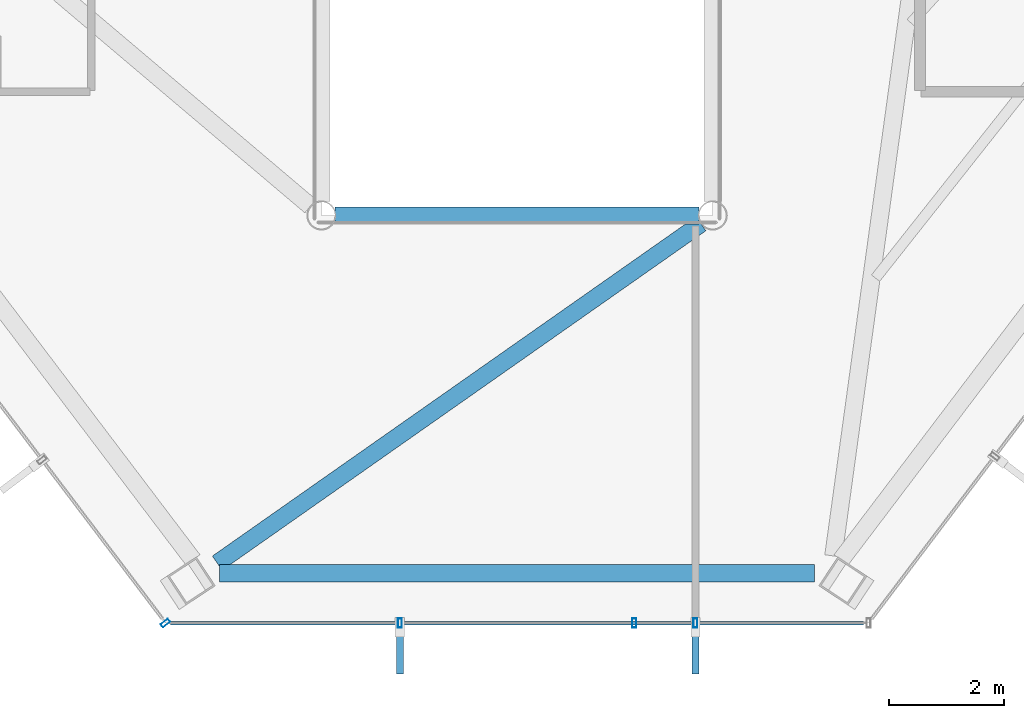
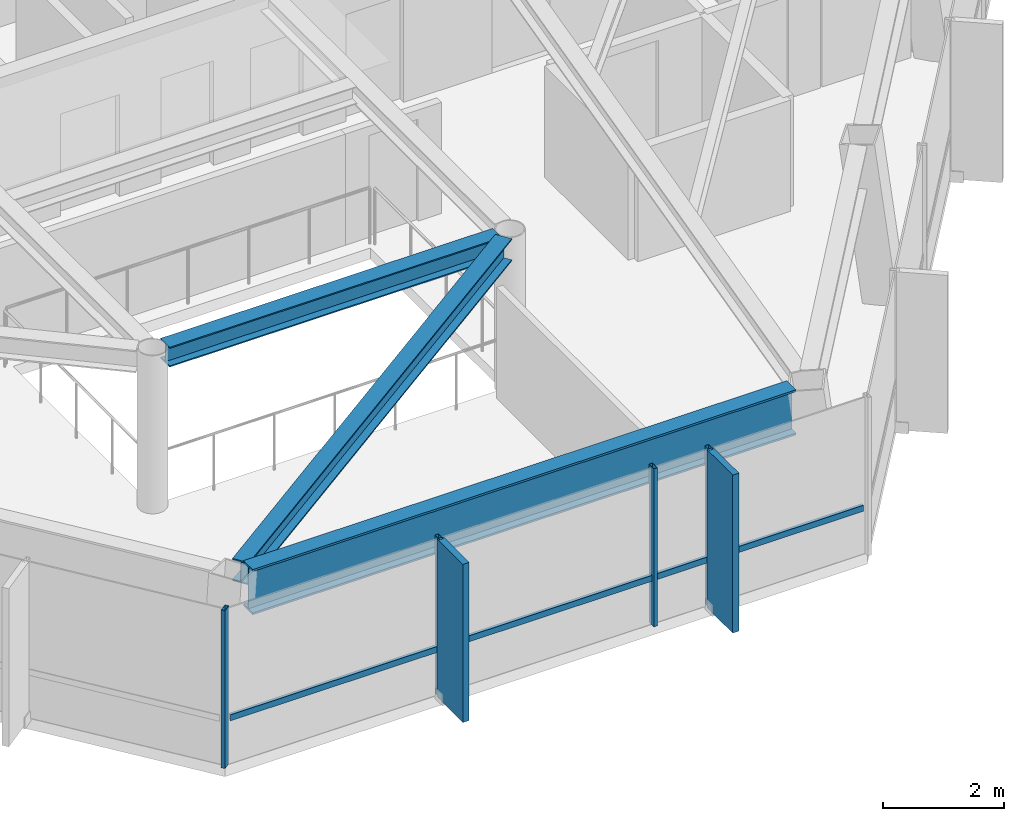
# One storey, part 7 of 27: 7 members, 3 beams, 2 elements without a shape of their own.
"""IFC4 building model written with IfcOpenShell, lengths in metres."""

from ifc_helpers import new_model, si_unit, direction, frame, origin, origin_2d, place, context, subcontext, project, spatial, rectangle, hollow_rectangle, i_section, extrude, material, layer, layer_set, material_profile, profile_set, type_object, element, aggregate, save


model = new_model("IFC4")

# Units and contexts
model_context = context("Model", 3, precision=1e-05, world=origin(), true_north=direction((0.0, 1.0)))
body_context = subcontext(model_context, "Body", "Model", "MODEL_VIEW")
ifc_project = project(units=[si_unit("LENGTHUNIT", "METRE"), si_unit("AREAUNIT", "SQUARE_METRE"), si_unit("VOLUMEUNIT", "CUBIC_METRE"), si_unit("PLANEANGLEUNIT", "RADIAN"), si_unit("MASSUNIT", "GRAM", prefix="KILO")], contexts=[model_context])

# Site, building, storey
site_placement = place(None, origin())
site = spatial("IfcSite", under=ifc_project, at=site_placement, CompositionType="ELEMENT")
building_placement = place(site_placement, origin())
building = spatial("IfcBuilding", under=site, at=building_placement, Name="Zarrinselat Tower", CompositionType="ELEMENT")
storey_placement = place(building_placement, frame((0.0, 0.0, 225.760009765625)))
storey = spatial("IfcBuildingStorey", under=building, at=storey_placement, Name="L56", CompositionType="ELEMENT", Elevation=225.760009765625)

# Beams
ifc_material_1 = material(Name="Steel S355J2", Category="steel")
ifc_material_profile_1 = material_profile(ifc_material_1, i_section(OverallWidth=0.300048828125, OverallDepth=0.39990234375, WebThickness=0.013427734375, FlangeThickness=0.02392578125, at=origin_2d()), Name="HEB 400")
ifc_profile_set_1 = profile_set([ifc_material_profile_1], Name="Steel S355J2")
beam_type_1 = type_object("IfcBeamType", Name="BM-HEB400", PredefinedType="BEAM", material=ifc_profile_set_1)
beam_1_placement = place(storey_placement, frame((35.239990234375, 25.199951171875, 2.97998046875), z_axis=(1.0, 0.0, 0.0), x_axis=(0.0, 1.0, 0.0)))
element("IfcBeam", 1, at=beam_1_placement, inside=storey, type_object=beam_type_1, Name="L56 Atrium Edge Beam S", PredefinedType="BEAM", context=body_context, shape_type="SweptSolid", body=[
    extrude(i_section(OverallWidth=0.300048828125, OverallDepth=0.39990234375, WebThickness=0.013427734375, FlangeThickness=0.02392578125, at=origin_2d()), origin(), (0.0, 0.0, 1.0), 6.320068359375),
])
ifc_material_2 = material(Name="Steel S355J2", Category="steel")
ifc_material_profile_2 = material_profile(ifc_material_2, i_section(OverallWidth=0.300048828125, OverallDepth=0.449951171875, WebThickness=0.013916015625, FlangeThickness=0.02587890625, at=origin_2d()), Name="HEB 450")
ifc_profile_set_2 = profile_set([ifc_material_profile_2], Name="Steel S355J2")
beam_type_2 = type_object("IfcBeamType", Name="BM-HEB450", PredefinedType="BEAM", material=ifc_profile_set_2)
beam_2_placement = place(storey_placement, frame((33.190185546875, 19.157470703125, 2.955078125), z_axis=(0.818534333595, 0.574457609164, 0.0), x_axis=(-0.574457609164, 0.818534333595, 0.0)))
element("IfcBeam", 2, at=beam_2_placement, inside=storey, type_object=beam_type_2, Name="L56 Radial Primary Girder RG10", PredefinedType="BEAM", context=body_context, shape_type="SweptSolid", body=[
    extrude(i_section(OverallWidth=0.300048828125, OverallDepth=0.449951171875, WebThickness=0.013916015625, FlangeThickness=0.02587890625, at=origin_2d()), origin(), (0.0, 0.0, 1.0), 10.268798828125),
])
ifc_material_3 = material(Name="Steel S460M", Category="steel")
ifc_material_profile_3 = material_profile(ifc_material_3, i_section(OverallWidth=0.302001953125, OverallDepth=0.909912109375, WebThickness=0.02099609375, FlangeThickness=0.0400390625, at=origin_2d()), Name="HEM 900")
ifc_profile_set_3 = profile_set([ifc_material_profile_3], Name="Steel S460M")
beam_type_3 = type_object("IfcBeamType", Name="BM-HEM900", PredefinedType="BEAM", material=ifc_profile_set_3)
beam_3_placement = place(storey_placement, frame((33.23095703125, 18.98388671875, 2.72509765625), z_axis=(1.0, 0.0, 0.0), x_axis=(0.0, 1.0, 0.0)))
element("IfcBeam", 3, at=beam_3_placement, inside=storey, type_object=beam_type_3, Name="L56 Perimeter Spandrel Girder SP10", PredefinedType="BEAM", context=body_context, shape_type="SweptSolid", body=[
    extrude(i_section(OverallWidth=0.302001953125, OverallDepth=0.909912109375, WebThickness=0.02099609375, FlangeThickness=0.0400390625, at=origin_2d()), origin(), (0.0, 0.0, 1.0), 10.338134765625),
])

# Curtain wall, member
ifc_material_4 = material(Name="Extruded Aluminium Alloy EN AW-6063 T6", Category="aluminium")
ifc_layer = layer(ifc_material_4, 0.169921875)
ifc_layer_set = layer_set([ifc_layer], Name="Extruded Aluminium Alloy EN AW-6063 T6")
curtain_wall_type = type_object("IfcCurtainWallType", Name="CWS-RES", PredefinedType="NOTDEFINED", material=ifc_layer_set)
curtain_wall_1_placement = place(storey_placement, origin())
curtain_wall_1 = element("IfcCurtainWall", 4, at=curtain_wall_1_placement, inside=storey, type_object=curtain_wall_type, Name="L56 Unitised Curtain Wall CW-L56-E03", PredefinedType="NOTDEFINED")
ifc_material_5 = material(Name="Extruded Aluminium Alloy EN AW-6063 T6", Category="aluminium")
ifc_material_profile_4 = material_profile(ifc_material_5, hollow_rectangle(XDim=0.070068359375, YDim=0.159912109375, WallThickness=0.00390625, at=origin_2d()), Name="RHS 160x70x4")
ifc_profile_set_4 = profile_set([ifc_material_profile_4], Name="Extruded Aluminium Alloy EN AW-6063 T6")
member_type_1 = type_object("IfcMemberType", Name="MEM-CW-MUL2", PredefinedType="MULLION", material=ifc_profile_set_4)
member_1_placement = place(storey_placement, frame((32.289794921875, 18.11669921875, 0.0), z_axis=(0.0, 0.0, 1.0), x_axis=(0.603859787908, -0.797090557307, 0.0)))
member_1 = element("IfcMember", 5, at=member_1_placement, type_object=member_type_1, Name="CW-L56-E03 Mullion 8", PredefinedType="MULLION", context=body_context, shape_type="SweptSolid", body=[
    extrude(hollow_rectangle(XDim=0.070068359375, YDim=0.159912109375, WallThickness=0.00390625, at=origin_2d()), origin(), (0.0, 0.0, 1.0), 3.179931640625),
])
aggregate(curtain_wall_1, [member_1])

# Curtain wall, members
curtain_wall_2_placement = place(storey_placement, origin())
curtain_wall_2 = element("IfcCurtainWall", 6, at=curtain_wall_2_placement, inside=storey, type_object=curtain_wall_type, Name="L56 Unitised Curtain Wall CW-L56-E04", PredefinedType="NOTDEFINED")
member_2_placement = place(storey_placement, frame((36.36328125, 18.11669921875, 0.0), z_axis=(0.0, 0.0, 1.0), x_axis=(1.0, 0.0, 0.0)))
member_2 = element("IfcMember", 7, at=member_2_placement, type_object=member_type_1, Name="CW-L56-E04 Mullion 1", PredefinedType="MULLION", context=body_context, shape_type="SweptSolid", body=[
    extrude(hollow_rectangle(XDim=0.070068359375, YDim=0.159912109375, WallThickness=0.00390625, at=origin_2d()), origin(), (0.0, 0.0, 1.0), 3.179931640625),
])
member_3_placement = place(storey_placement, frame((40.436767578125, 18.11669921875, 0.0), z_axis=(0.0, 0.0, 1.0), x_axis=(1.0, 0.0, 0.0)))
member_3 = element("IfcMember", 8, at=member_3_placement, type_object=member_type_1, Name="CW-L56-E04 Mullion 2", PredefinedType="MULLION", context=body_context, shape_type="SweptSolid", body=[
    extrude(hollow_rectangle(XDim=0.070068359375, YDim=0.159912109375, WallThickness=0.00390625, at=origin_2d()), origin(), (0.0, 0.0, 1.0), 3.179931640625),
])
member_4_placement = place(storey_placement, frame((41.5, 18.11669921875, 0.0), z_axis=(0.0, 0.0, 1.0), x_axis=(1.0, 0.0, 0.0)))
member_4 = element("IfcMember", 9, at=member_4_placement, type_object=member_type_1, Name="CW-L56-E04 Mullion 3", PredefinedType="MULLION", context=body_context, shape_type="SweptSolid", body=[
    extrude(hollow_rectangle(XDim=0.070068359375, YDim=0.159912109375, WallThickness=0.00390625, at=origin_2d()), origin(), (0.0, 0.0, 1.0), 3.179931640625),
])
ifc_material_6 = material(Name="Extruded Aluminium Alloy EN AW-6063 T6", Category="aluminium")
ifc_material_profile_5 = material_profile(ifc_material_6, hollow_rectangle(XDim=0.06005859375, YDim=0.1201171875, WallThickness=0.00390625, at=origin_2d()), Name="RHS 120x60x4")
ifc_profile_set_5 = profile_set([ifc_material_profile_5], Name="Extruded Aluminium Alloy EN AW-6063 T6")
member_type_2 = type_object("IfcMemberType", Name="MEM-CW-TRN2", PredefinedType="USERDEFINED", material=ifc_profile_set_5)
member_5_placement = place(storey_placement, frame((32.3798828125, 18.11669921875, 0.949951171875), z_axis=(1.0, 0.0, 0.0), x_axis=(0.0, 1.0, 0.0)))
member_5 = element("IfcMember", 10, at=member_5_placement, type_object=member_type_2, Name="CW-L56-E04 Transom 1", ObjectType="TRANSOM", PredefinedType="USERDEFINED", context=body_context, shape_type="SweptSolid", body=[
    extrude(hollow_rectangle(XDim=0.06005859375, YDim=0.1201171875, WallThickness=0.00390625, at=origin_2d()), origin(), (0.0, 0.0, 1.0), 12.040283203125),
])
ifc_material_7 = material(Name="Honed Cream Travertine Stone", Category="masonry")
ifc_material_profile_6 = material_profile(ifc_material_7, rectangle(XDim=0.1201171875, YDim=0.85009765625, at=origin_2d()), Name="FIN 850x120")
ifc_profile_set_6 = profile_set([ifc_material_profile_6], Name="Honed Cream Travertine Stone")
member_type_3 = type_object("IfcMemberType", Name="MEM-STONE-FIN", PredefinedType="USERDEFINED", material=ifc_profile_set_6)
member_6_placement = place(storey_placement, frame((36.36328125, 17.65673828125, 0.0), z_axis=(0.0, 0.0, 1.0), x_axis=(-1.0, 0.0, 0.0)))
member_6 = element("IfcMember", 11, at=member_6_placement, type_object=member_type_3, Name="L56 Stone Shading Fin CW-L56-E04-01", ObjectType="FIN", PredefinedType="USERDEFINED", context=body_context, shape_type="SweptSolid", body=[
    extrude(rectangle(XDim=0.1201171875, YDim=0.85009765625, at=origin_2d()), origin(), (0.0, 0.0, 1.0), 3.179931640625),
])
member_7_placement = place(storey_placement, frame((41.5, 17.65673828125, 0.0), z_axis=(0.0, 0.0, 1.0), x_axis=(-1.0, 0.0, 0.0)))
member_7 = element("IfcMember", 12, at=member_7_placement, type_object=member_type_3, Name="L56 Stone Shading Fin CW-L56-E04-03", ObjectType="FIN", PredefinedType="USERDEFINED", context=body_context, shape_type="SweptSolid", body=[
    extrude(rectangle(XDim=0.1201171875, YDim=0.85009765625, at=origin_2d()), origin(), (0.0, 0.0, 1.0), 3.179931640625),
])
aggregate(curtain_wall_2, [member_2, member_6, member_3, member_4, member_7, member_5])

save(model, "model.ifc")
